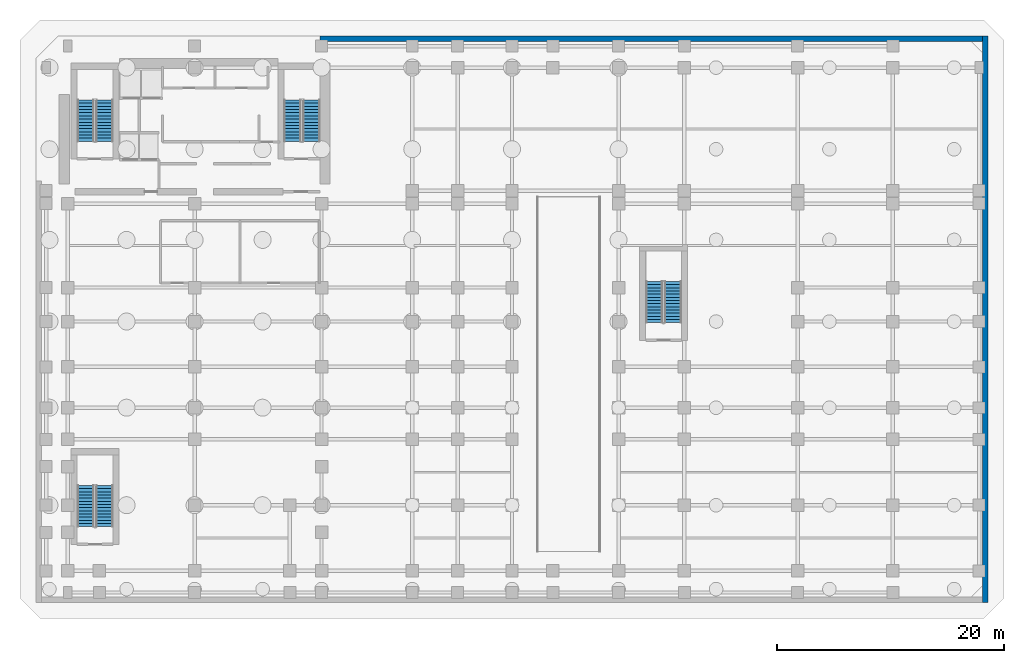
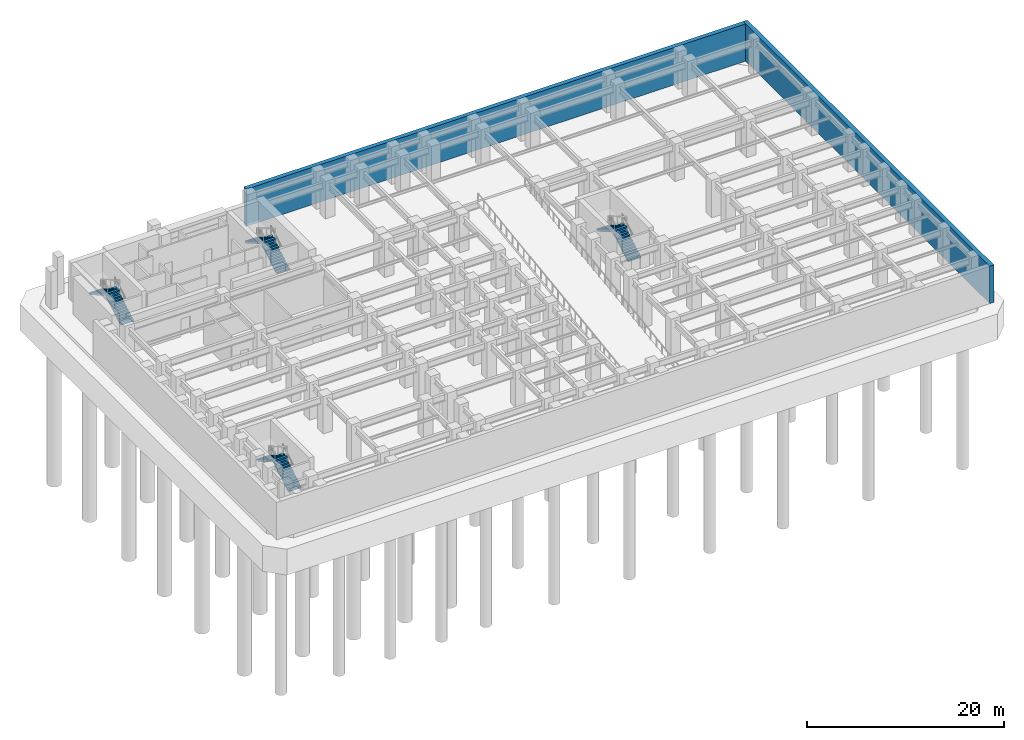
# One storey, part 9 of 13: 8 stair flights, 2 walls, 4 elements without a shape of their own.
"""IFC4 building model written with IfcOpenShell, lengths in metres."""

from ifc_helpers import new_model, si_unit, direction, frame, frame_2d, origin, place, context, subcontext, project, spatial, polyline, rectangle, outline, extrude, material, layer, layer_set, type_object, element, aggregate, save


model = new_model("IFC4")

# Units and contexts
model_context = context("Model", 3, precision=1e-05, world=origin(), true_north=direction((0.0, 1.0)))
body_context = subcontext(model_context, "Body", "Model", "MODEL_VIEW")
ifc_project = project(units=[si_unit("LENGTHUNIT", "METRE"), si_unit("AREAUNIT", "SQUARE_METRE"), si_unit("VOLUMEUNIT", "CUBIC_METRE"), si_unit("PLANEANGLEUNIT", "RADIAN"), si_unit("MASSUNIT", "GRAM", prefix="KILO")], contexts=[model_context])

# Site, building, storey
site_placement = place(None, origin())
site = spatial("IfcSite", under=ifc_project, at=site_placement, CompositionType="ELEMENT")
building_placement = place(site_placement, origin())
building = spatial("IfcBuilding", under=site, at=building_placement, Name="Kefirva Bronze Tower", CompositionType="ELEMENT")
storey_placement = place(building_placement, frame((0.0, 0.0, -9.239990234375)))
storey = spatial("IfcBuildingStorey", under=building, at=storey_placement, Name="B2", CompositionType="ELEMENT", Elevation=-9.239990234375)

# Walls
ifc_material = material(Name="Concrete C40/50", Category="concrete")
ifc_layer = layer(ifc_material, 0.5, Name="Concrete C40/50")
ifc_layer_set = layer_set([ifc_layer], Name="Concrete C40/50")
wall_type = type_object("IfcWallType", Name="RC Basement Retaining Wall 500mm", PredefinedType="SOLIDWALL", material=ifc_layer_set)
wall_1_placement = place(storey_placement, frame((81.75, -2.0, 0.0), z_axis=(0.0, 0.0, 1.0), x_axis=(0.0, 1.0, 0.0)))
element("IfcWall", 1, at=wall_1_placement, inside=storey, type_object=wall_type, Name="B2 E Retaining Wall", PredefinedType="SOLIDWALL", context=body_context, shape_type="SweptSolid", body=[
    extrude(rectangle(XDim=50.0, YDim=0.5, at=frame_2d((25.0, 0.0))), origin(), (0.0, 0.0, 1.0), 4.619873046875),
])
wall_2_placement = place(storey_placement, frame((82.0, 47.75, 0.0), z_axis=(0.0, 0.0, 1.0), x_axis=(-1.0, 0.0, 0.0)))
element("IfcWall", 2, at=wall_2_placement, inside=storey, type_object=wall_type, Name="B2 N Retaining Wall", PredefinedType="SOLIDWALL", context=body_context, shape_type="SweptSolid", body=[
    extrude(rectangle(XDim=58.949951171875, YDim=0.5, at=frame_2d((29.47509765625, 0.0))), origin(), (0.0, 0.0, 1.0), 4.619873046875),
])

# Stair, stair flights
stair_type = type_object("IfcStairType", Name="RC Dogleg Protected Stair 28R", PredefinedType="HALF_TURN_STAIR", material=ifc_material)
stair_1_placement = place(storey_placement, origin())
stair_1 = element("IfcStair", 3, at=stair_1_placement, inside=storey, type_object=stair_type, Name="B2 Protected Exit Stair 1", PredefinedType="HALF_TURN_STAIR")
stair_flight_type = type_object("IfcStairFlightType", Name="RC Straight Stair Flight 28R", PredefinedType="STRAIGHT", material=ifc_material)
stair_flight_1_placement = place(storey_placement, frame((4.050048828125, 38.699951171875, 0.0), z_axis=(0.0, 0.0, 1.0), x_axis=(0.0, 1.0, 0.0)))
stair_flight_1 = element("IfcStairFlight", 4, at=stair_flight_1_placement, type_object=stair_flight_type, Name="ST-1 flight 1", NumberOfRisers=14, NumberOfTreads=13, PredefinedType="STRAIGHT", RiserHeight=0.165, TreadLength=0.28, context=body_context, shape_type="SweptSolid", body=[
    extrude(outline(polyline([(0.0, 0.0), (0.0, 0.1650390625), (0.280029296875, 0.1650390625), (0.280029296875, 0.330078125), (0.56005859375, 0.330078125), (0.56005859375, 0.4951171875), (0.840087890625, 0.4951171875), (0.840087890625, 0.659912109375), (1.1201171875, 0.659912109375), (1.1201171875, 0.824951171875), (1.39990234375, 0.824951171875), (1.39990234375, 0.989990234375), (1.679931640625, 0.989990234375), (1.679931640625, 1.155029296875), (1.9599609375, 1.155029296875), (1.9599609375, 1.320068359375), (2.239990234375, 1.320068359375), (2.239990234375, 1.485107421875), (2.52001953125, 1.485107421875), (2.52001953125, 1.64990234375), (2.800048828125, 1.64990234375), (2.800048828125, 1.81494140625), (3.080078125, 1.81494140625), (3.080078125, 1.97998046875), (3.360107421875, 1.97998046875), (3.360107421875, 2.14501953125), (3.639892578125, 2.14501953125), (3.639892578125, 2.31005859375), (3.639892578125, 1.970947265625), (0.295166015625, 0.0), (0.0, 0.0)])), frame((0.0, 0.75, 0.0), z_axis=(0.0, -1.0, 0.0), x_axis=(1.0, 0.0, 0.0)), (0.0, 0.0, 1.0), 1.5),
])
stair_flight_2_placement = place(storey_placement, frame((2.39990234375, 42.340087890625, 2.31005859375), z_axis=(0.0, 0.0, 1.0), x_axis=(0.0, -1.0, 0.0)))
stair_flight_2 = element("IfcStairFlight", 5, at=stair_flight_2_placement, type_object=stair_flight_type, Name="ST-1 flight 2", NumberOfRisers=14, NumberOfTreads=13, PredefinedType="STRAIGHT", RiserHeight=0.165, TreadLength=0.28, context=body_context, shape_type="SweptSolid", body=[
    extrude(outline(polyline([(0.0, 0.0), (0.0, 0.1650390625), (0.280029296875, 0.1650390625), (0.280029296875, 0.330078125), (0.56005859375, 0.330078125), (0.56005859375, 0.4951171875), (0.840087890625, 0.4951171875), (0.840087890625, 0.659912109375), (1.1201171875, 0.659912109375), (1.1201171875, 0.824951171875), (1.39990234375, 0.824951171875), (1.39990234375, 0.989990234375), (1.679931640625, 0.989990234375), (1.679931640625, 1.155029296875), (1.9599609375, 1.155029296875), (1.9599609375, 1.320068359375), (2.239990234375, 1.320068359375), (2.239990234375, 1.485107421875), (2.52001953125, 1.485107421875), (2.52001953125, 1.64990234375), (2.800048828125, 1.64990234375), (2.800048828125, 1.81494140625), (3.080078125, 1.81494140625), (3.080078125, 1.97998046875), (3.360107421875, 1.97998046875), (3.360107421875, 2.14501953125), (3.639892578125, 2.14501953125), (3.639892578125, 2.31005859375), (3.639892578125, 1.970947265625), (0.295166015625, 0.0), (0.0, 0.0)])), frame((0.0, 0.75, 0.0), z_axis=(0.0, -1.0, 0.0), x_axis=(1.0, 0.0, 0.0)), (0.0, 0.0, 1.0), 1.5),
])
aggregate(stair_1, [stair_flight_1, stair_flight_2])

stair_2_placement = place(storey_placement, origin())
stair_2 = element("IfcStair", 6, at=stair_2_placement, inside=storey, type_object=stair_type, Name="B2 Protected Exit Stair 2", PredefinedType="HALF_TURN_STAIR")
stair_flight_3_placement = place(storey_placement, frame((22.300048828125, 38.699951171875, 0.0), z_axis=(0.0, 0.0, 1.0), x_axis=(0.0, 1.0, 0.0)))
stair_flight_3 = element("IfcStairFlight", 7, at=stair_flight_3_placement, type_object=stair_flight_type, Name="ST-2 flight 1", NumberOfRisers=14, NumberOfTreads=13, PredefinedType="STRAIGHT", RiserHeight=0.165, TreadLength=0.28, context=body_context, shape_type="SweptSolid", body=[
    extrude(outline(polyline([(0.0, 0.0), (0.0, 0.1650390625), (0.280029296875, 0.1650390625), (0.280029296875, 0.330078125), (0.56005859375, 0.330078125), (0.56005859375, 0.4951171875), (0.840087890625, 0.4951171875), (0.840087890625, 0.659912109375), (1.1201171875, 0.659912109375), (1.1201171875, 0.824951171875), (1.39990234375, 0.824951171875), (1.39990234375, 0.989990234375), (1.679931640625, 0.989990234375), (1.679931640625, 1.155029296875), (1.9599609375, 1.155029296875), (1.9599609375, 1.320068359375), (2.239990234375, 1.320068359375), (2.239990234375, 1.485107421875), (2.52001953125, 1.485107421875), (2.52001953125, 1.64990234375), (2.800048828125, 1.64990234375), (2.800048828125, 1.81494140625), (3.080078125, 1.81494140625), (3.080078125, 1.97998046875), (3.360107421875, 1.97998046875), (3.360107421875, 2.14501953125), (3.639892578125, 2.14501953125), (3.639892578125, 2.31005859375), (3.639892578125, 1.970947265625), (0.295166015625, 0.0), (0.0, 0.0)])), frame((0.0, 0.75, 0.0), z_axis=(0.0, -1.0, 0.0), x_axis=(1.0, 0.0, 0.0)), (0.0, 0.0, 1.0), 1.5),
])
stair_flight_4_placement = place(storey_placement, frame((20.64990234375, 42.340087890625, 2.31005859375), z_axis=(0.0, 0.0, 1.0), x_axis=(0.0, -1.0, 0.0)))
stair_flight_4 = element("IfcStairFlight", 8, at=stair_flight_4_placement, type_object=stair_flight_type, Name="ST-2 flight 2", NumberOfRisers=14, NumberOfTreads=13, PredefinedType="STRAIGHT", RiserHeight=0.165, TreadLength=0.28, context=body_context, shape_type="SweptSolid", body=[
    extrude(outline(polyline([(0.0, 0.0), (0.0, 0.1650390625), (0.280029296875, 0.1650390625), (0.280029296875, 0.330078125), (0.56005859375, 0.330078125), (0.56005859375, 0.4951171875), (0.840087890625, 0.4951171875), (0.840087890625, 0.659912109375), (1.1201171875, 0.659912109375), (1.1201171875, 0.824951171875), (1.39990234375, 0.824951171875), (1.39990234375, 0.989990234375), (1.679931640625, 0.989990234375), (1.679931640625, 1.155029296875), (1.9599609375, 1.155029296875), (1.9599609375, 1.320068359375), (2.239990234375, 1.320068359375), (2.239990234375, 1.485107421875), (2.52001953125, 1.485107421875), (2.52001953125, 1.64990234375), (2.800048828125, 1.64990234375), (2.800048828125, 1.81494140625), (3.080078125, 1.81494140625), (3.080078125, 1.97998046875), (3.360107421875, 1.97998046875), (3.360107421875, 2.14501953125), (3.639892578125, 2.14501953125), (3.639892578125, 2.31005859375), (3.639892578125, 1.970947265625), (0.295166015625, 0.0), (0.0, 0.0)])), frame((0.0, 0.75, 0.0), z_axis=(0.0, -1.0, 0.0), x_axis=(1.0, 0.0, 0.0)), (0.0, 0.0, 1.0), 1.5),
])
aggregate(stair_2, [stair_flight_3, stair_flight_4])

stair_3_placement = place(storey_placement, origin())
stair_3 = element("IfcStair", 9, at=stair_3_placement, inside=storey, type_object=stair_type, Name="B2 Podium Exit Stair 3", PredefinedType="HALF_TURN_STAIR")
stair_flight_5_placement = place(storey_placement, frame((4.050048828125, 4.699951171875, 0.0), z_axis=(0.0, 0.0, 1.0), x_axis=(0.0, 1.0, 0.0)))
stair_flight_5 = element("IfcStairFlight", 10, at=stair_flight_5_placement, type_object=stair_flight_type, Name="ST-3 flight 1", NumberOfRisers=14, NumberOfTreads=13, PredefinedType="STRAIGHT", RiserHeight=0.165, TreadLength=0.28, context=body_context, shape_type="SweptSolid", body=[
    extrude(outline(polyline([(0.0, 0.0), (0.0, 0.1650390625), (0.280029296875, 0.1650390625), (0.280029296875, 0.330078125), (0.56005859375, 0.330078125), (0.56005859375, 0.4951171875), (0.840087890625, 0.4951171875), (0.840087890625, 0.659912109375), (1.1201171875, 0.659912109375), (1.1201171875, 0.824951171875), (1.39990234375, 0.824951171875), (1.39990234375, 0.989990234375), (1.679931640625, 0.989990234375), (1.679931640625, 1.155029296875), (1.9599609375, 1.155029296875), (1.9599609375, 1.320068359375), (2.239990234375, 1.320068359375), (2.239990234375, 1.485107421875), (2.52001953125, 1.485107421875), (2.52001953125, 1.64990234375), (2.800048828125, 1.64990234375), (2.800048828125, 1.81494140625), (3.080078125, 1.81494140625), (3.080078125, 1.97998046875), (3.360107421875, 1.97998046875), (3.360107421875, 2.14501953125), (3.639892578125, 2.14501953125), (3.639892578125, 2.31005859375), (3.639892578125, 1.970947265625), (0.295166015625, 0.0), (0.0, 0.0)])), frame((0.0, 0.75, 0.0), z_axis=(0.0, -1.0, 0.0), x_axis=(1.0, 0.0, 0.0)), (0.0, 0.0, 1.0), 1.5),
])
stair_flight_6_placement = place(storey_placement, frame((2.39990234375, 8.340087890625, 2.31005859375), z_axis=(0.0, 0.0, 1.0), x_axis=(0.0, -1.0, 0.0)))
stair_flight_6 = element("IfcStairFlight", 11, at=stair_flight_6_placement, type_object=stair_flight_type, Name="ST-3 flight 2", NumberOfRisers=14, NumberOfTreads=13, PredefinedType="STRAIGHT", RiserHeight=0.165, TreadLength=0.28, context=body_context, shape_type="SweptSolid", body=[
    extrude(outline(polyline([(0.0, 0.0), (0.0, 0.1650390625), (0.280029296875, 0.1650390625), (0.280029296875, 0.330078125), (0.56005859375, 0.330078125), (0.56005859375, 0.4951171875), (0.840087890625, 0.4951171875), (0.840087890625, 0.659912109375), (1.1201171875, 0.659912109375), (1.1201171875, 0.824951171875), (1.39990234375, 0.824951171875), (1.39990234375, 0.989990234375), (1.679931640625, 0.989990234375), (1.679931640625, 1.155029296875), (1.9599609375, 1.155029296875), (1.9599609375, 1.320068359375), (2.239990234375, 1.320068359375), (2.239990234375, 1.485107421875), (2.52001953125, 1.485107421875), (2.52001953125, 1.64990234375), (2.800048828125, 1.64990234375), (2.800048828125, 1.81494140625), (3.080078125, 1.81494140625), (3.080078125, 1.97998046875), (3.360107421875, 1.97998046875), (3.360107421875, 2.14501953125), (3.639892578125, 2.14501953125), (3.639892578125, 2.31005859375), (3.639892578125, 1.970947265625), (0.295166015625, 0.0), (0.0, 0.0)])), frame((0.0, 0.75, 0.0), z_axis=(0.0, -1.0, 0.0), x_axis=(1.0, 0.0, 0.0)), (0.0, 0.0, 1.0), 1.5),
])
aggregate(stair_3, [stair_flight_5, stair_flight_6])

stair_4_placement = place(storey_placement, origin())
stair_4 = element("IfcStair", 12, at=stair_4_placement, inside=storey, type_object=stair_type, Name="B2 Podium Exit Stair 4", PredefinedType="HALF_TURN_STAIR")
stair_flight_7_placement = place(storey_placement, frame((54.199951171875, 22.699951171875, 0.0), z_axis=(0.0, 0.0, 1.0), x_axis=(0.0, 1.0, 0.0)))
stair_flight_7 = element("IfcStairFlight", 13, at=stair_flight_7_placement, type_object=stair_flight_type, Name="ST-4 flight 1", NumberOfRisers=14, NumberOfTreads=13, PredefinedType="STRAIGHT", RiserHeight=0.165, TreadLength=0.28, context=body_context, shape_type="SweptSolid", body=[
    extrude(outline(polyline([(0.0, 0.0), (0.0, 0.1650390625), (0.280029296875, 0.1650390625), (0.280029296875, 0.330078125), (0.56005859375, 0.330078125), (0.56005859375, 0.4951171875), (0.840087890625, 0.4951171875), (0.840087890625, 0.659912109375), (1.1201171875, 0.659912109375), (1.1201171875, 0.824951171875), (1.39990234375, 0.824951171875), (1.39990234375, 0.989990234375), (1.679931640625, 0.989990234375), (1.679931640625, 1.155029296875), (1.9599609375, 1.155029296875), (1.9599609375, 1.320068359375), (2.239990234375, 1.320068359375), (2.239990234375, 1.485107421875), (2.52001953125, 1.485107421875), (2.52001953125, 1.64990234375), (2.800048828125, 1.64990234375), (2.800048828125, 1.81494140625), (3.080078125, 1.81494140625), (3.080078125, 1.97998046875), (3.360107421875, 1.97998046875), (3.360107421875, 2.14501953125), (3.639892578125, 2.14501953125), (3.639892578125, 2.31005859375), (3.639892578125, 1.970947265625), (0.295166015625, 0.0), (0.0, 0.0)])), frame((0.0, 0.75, 0.0), z_axis=(0.0, -1.0, 0.0), x_axis=(1.0, 0.0, 0.0)), (0.0, 0.0, 1.0), 1.5),
])
stair_flight_8_placement = place(storey_placement, frame((52.550048828125, 26.340087890625, 2.31005859375), z_axis=(0.0, 0.0, 1.0), x_axis=(0.0, -1.0, 0.0)))
stair_flight_8 = element("IfcStairFlight", 14, at=stair_flight_8_placement, type_object=stair_flight_type, Name="ST-4 flight 2", NumberOfRisers=14, NumberOfTreads=13, PredefinedType="STRAIGHT", RiserHeight=0.165, TreadLength=0.28, context=body_context, shape_type="SweptSolid", body=[
    extrude(outline(polyline([(0.0, 0.0), (0.0, 0.1650390625), (0.280029296875, 0.1650390625), (0.280029296875, 0.330078125), (0.56005859375, 0.330078125), (0.56005859375, 0.4951171875), (0.840087890625, 0.4951171875), (0.840087890625, 0.659912109375), (1.1201171875, 0.659912109375), (1.1201171875, 0.824951171875), (1.39990234375, 0.824951171875), (1.39990234375, 0.989990234375), (1.679931640625, 0.989990234375), (1.679931640625, 1.155029296875), (1.9599609375, 1.155029296875), (1.9599609375, 1.320068359375), (2.239990234375, 1.320068359375), (2.239990234375, 1.485107421875), (2.52001953125, 1.485107421875), (2.52001953125, 1.64990234375), (2.800048828125, 1.64990234375), (2.800048828125, 1.81494140625), (3.080078125, 1.81494140625), (3.080078125, 1.97998046875), (3.360107421875, 1.97998046875), (3.360107421875, 2.14501953125), (3.639892578125, 2.14501953125), (3.639892578125, 2.31005859375), (3.639892578125, 1.970947265625), (0.295166015625, 0.0), (0.0, 0.0)])), frame((0.0, 0.75, 0.0), z_axis=(0.0, -1.0, 0.0), x_axis=(1.0, 0.0, 0.0)), (0.0, 0.0, 1.0), 1.5),
])
aggregate(stair_4, [stair_flight_7, stair_flight_8])

save(model, "model.ifc")
